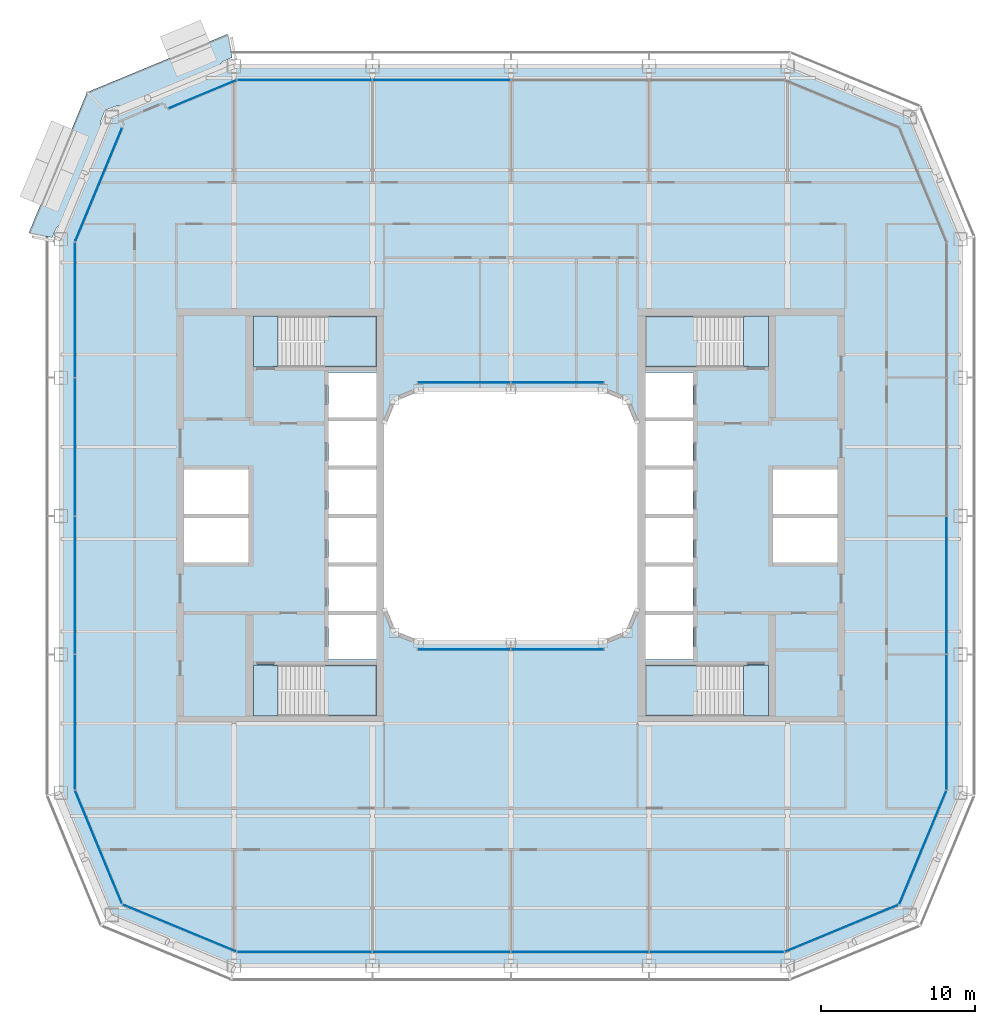
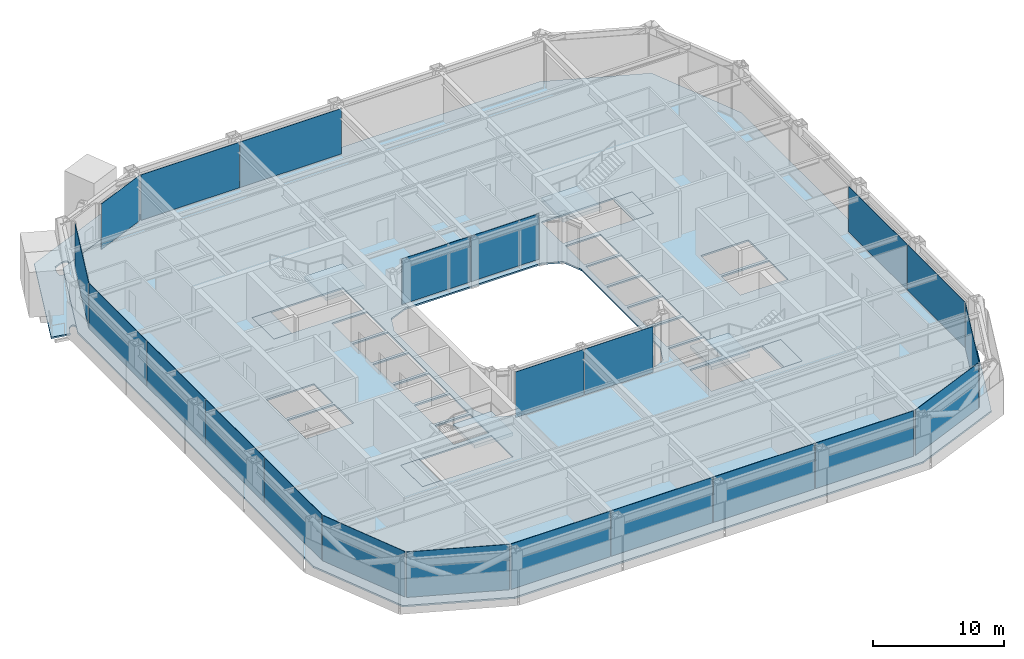
# One storey, part 10 of 23: 22 plates, 10 slabs, 16 elements without a shape of their own.
"""IFC4 building model written with IfcOpenShell, lengths in metres."""

from ifc_helpers import new_model, si_unit, direction, frame, origin, origin_2d, place, context, subcontext, project, spatial, polyline, rectangle, outline, extrude, material, layer, layer_set, type_object, element, aggregate, save


model = new_model("IFC4")

# Units and contexts
model_context = context("Model", 3, precision=1e-05, world=origin(), true_north=direction((0.0, 1.0)))
body_context = subcontext(model_context, "Body", "Model", "MODEL_VIEW")
ifc_project = project(units=[si_unit("LENGTHUNIT", "METRE"), si_unit("AREAUNIT", "SQUARE_METRE"), si_unit("VOLUMEUNIT", "CUBIC_METRE"), si_unit("PLANEANGLEUNIT", "RADIAN"), si_unit("MASSUNIT", "GRAM", prefix="KILO")], contexts=[model_context])

# Site, building, storey
site_placement = place(None, origin())
site = spatial("IfcSite", under=ifc_project, at=site_placement, CompositionType="ELEMENT")
building_placement = place(site_placement, origin())
building = spatial("IfcBuilding", under=site, at=building_placement, Name="Siwar Civic Tower", CompositionType="ELEMENT")
storey_placement = place(building_placement, frame((0.0, 0.0, 172.199951171875)))
storey = spatial("IfcBuildingStorey", under=building, at=storey_placement, Name="L37", CompositionType="ELEMENT", Elevation=172.199951171875)

# Stair, slabs
ifc_material_1 = material(Name="Concrete C40/50", Category="concrete")
stair_type = type_object("IfcStairType", Name="CORE-STAIR", PredefinedType="TWO_STRAIGHT_RUN_STAIR", material=ifc_material_1)
stair_1_placement = place(storey_placement, origin())
stair_1 = element("IfcStair", 1, at=stair_1_placement, inside=storey, type_object=stair_type, Name="Exit stair ST1", PredefinedType="TWO_STRAIGHT_RUN_STAIR")
ifc_material_2 = material(Name="Concrete C40/50", Category="concrete")
ifc_layer_1 = layer(ifc_material_2, 0.300048828125)
ifc_layer_set_1 = layer_set([ifc_layer_1], Name="Concrete C40/50")
slab_type_1 = type_object("IfcSlabType", Name="CORE-STAIR-LANDING", PredefinedType="LANDING", material=ifc_layer_set_1)
slab_1_placement = place(storey_placement, frame((0.0, 0.0, -0.300048828125)))
slab_1 = element("IfcSlab", 2, at=slab_1_placement, type_object=slab_type_1, Name="ST1 landing 1", PredefinedType="LANDING", context=body_context, shape_type="SweptSolid", body=[
    extrude(outline(polyline([(-15.14990234375, 13.0), (-16.75, 13.0), (-16.75, 9.699951171875), (-15.14990234375, 9.699951171875), (-15.14990234375, 13.0)])), origin(), (0.0, 0.0, 1.0), 0.300048828125),
])
slab_2_placement = place(storey_placement, frame((0.0, 0.0, 1.949951171875)))
slab_2 = element("IfcSlab", 3, at=slab_2_placement, type_object=slab_type_1, Name="ST1 landing 2", PredefinedType="LANDING", context=body_context, shape_type="SweptSolid", body=[
    extrude(outline(polyline([(-8.75, 13.0), (-12.139892578125, 13.0), (-12.139892578125, 9.699951171875), (-8.75, 9.699951171875), (-8.75, 13.0)])), origin(), (0.0, 0.0, 1.0), 0.300048828125),
])
aggregate(stair_1, [slab_1, slab_2])

stair_2_placement = place(storey_placement, origin())
stair_2 = element("IfcStair", 4, at=stair_2_placement, inside=storey, type_object=stair_type, Name="Exit stair ST2", PredefinedType="TWO_STRAIGHT_RUN_STAIR")
slab_3_placement = place(storey_placement, frame((0.0, 0.0, -0.300048828125)))
slab_3 = element("IfcSlab", 5, at=slab_3_placement, type_object=slab_type_1, Name="ST2 landing 1", PredefinedType="LANDING", context=body_context, shape_type="SweptSolid", body=[
    extrude(outline(polyline([(-15.14990234375, -9.699951171875), (-16.75, -9.699951171875), (-16.75, -13.0), (-15.14990234375, -13.0), (-15.14990234375, -9.699951171875)])), origin(), (0.0, 0.0, 1.0), 0.300048828125),
])
slab_4_placement = place(storey_placement, frame((0.0, 0.0, 1.949951171875)))
slab_4 = element("IfcSlab", 6, at=slab_4_placement, type_object=slab_type_1, Name="ST2 landing 2", PredefinedType="LANDING", context=body_context, shape_type="SweptSolid", body=[
    extrude(outline(polyline([(-8.75, -9.699951171875), (-12.139892578125, -9.699951171875), (-12.139892578125, -13.0), (-8.75, -13.0), (-8.75, -9.699951171875)])), origin(), (0.0, 0.0, 1.0), 0.300048828125),
])
aggregate(stair_2, [slab_3, slab_4])

stair_3_placement = place(storey_placement, origin())
stair_3 = element("IfcStair", 7, at=stair_3_placement, inside=storey, type_object=stair_type, Name="Exit stair ST3", PredefinedType="TWO_STRAIGHT_RUN_STAIR")
slab_5_placement = place(storey_placement, frame((0.0, 0.0, -0.300048828125)))
slab_5 = element("IfcSlab", 8, at=slab_5_placement, type_object=slab_type_1, Name="ST3 landing 1", PredefinedType="LANDING", context=body_context, shape_type="SweptSolid", body=[
    extrude(outline(polyline([(15.14990234375, 9.699951171875), (16.75, 9.699951171875), (16.75, 13.0), (15.14990234375, 13.0), (15.14990234375, 9.699951171875)])), origin(), (0.0, 0.0, 1.0), 0.300048828125),
])
slab_6_placement = place(storey_placement, frame((0.0, 0.0, 1.949951171875)))
slab_6 = element("IfcSlab", 9, at=slab_6_placement, type_object=slab_type_1, Name="ST3 landing 2", PredefinedType="LANDING", context=body_context, shape_type="SweptSolid", body=[
    extrude(outline(polyline([(8.75, 9.699951171875), (12.139892578125, 9.699951171875), (12.139892578125, 13.0), (8.75, 13.0), (8.75, 9.699951171875)])), origin(), (0.0, 0.0, 1.0), 0.300048828125),
])
aggregate(stair_3, [slab_5, slab_6])

stair_4_placement = place(storey_placement, origin())
stair_4 = element("IfcStair", 10, at=stair_4_placement, inside=storey, type_object=stair_type, Name="Exit stair ST4", PredefinedType="TWO_STRAIGHT_RUN_STAIR")
slab_7_placement = place(storey_placement, frame((0.0, 0.0, -0.300048828125)))
slab_7 = element("IfcSlab", 11, at=slab_7_placement, type_object=slab_type_1, Name="ST4 landing 1", PredefinedType="LANDING", context=body_context, shape_type="SweptSolid", body=[
    extrude(outline(polyline([(15.14990234375, -13.0), (16.75, -13.0), (16.75, -9.699951171875), (15.14990234375, -9.699951171875), (15.14990234375, -13.0)])), origin(), (0.0, 0.0, 1.0), 0.300048828125),
])
slab_8_placement = place(storey_placement, frame((0.0, 0.0, 1.949951171875)))
slab_8 = element("IfcSlab", 12, at=slab_8_placement, type_object=slab_type_1, Name="ST4 landing 2", PredefinedType="LANDING", context=body_context, shape_type="SweptSolid", body=[
    extrude(outline(polyline([(8.75, -13.0), (12.139892578125, -13.0), (12.139892578125, -9.699951171875), (8.75, -9.699951171875), (8.75, -13.0)])), origin(), (0.0, 0.0, 1.0), 0.300048828125),
])
aggregate(stair_4, [slab_7, slab_8])

# Slab
ifc_material_3 = material(Name="Concrete C40/50", Category="concrete")
ifc_layer_2 = layer(ifc_material_3, 0.14990234375)
ifc_layer_set_2 = layer_set([ifc_layer_2], Name="Concrete C40/50")
slab_type_2 = type_object("IfcSlabType", Name="ENV-BALCONY DECK 150", PredefinedType="FLOOR", material=ifc_layer_set_2)
slab_9_placement = place(storey_placement, frame((0.0, 0.0, -0.1494140625)))
element("IfcSlab", 13, at=slab_9_placement, inside=storey, type_object=slab_type_2, Name="Tree balcony deck NW", PredefinedType="FLOOR", context=body_context, shape_type="SweptSolid", body=[
    extrude(outline(polyline([(-26.263427734375, 26.43310546875), (-26.258056640625, 26.435546875), (-26.258056640625, 26.435546875), (-26.2333984375, 26.44580078125), (-26.151611328125, 26.479736328125), (-25.921875, 26.575439453125), (-25.897216796875, 26.585693359375), (-25.88916015625, 26.589111328125), (-25.88720703125, 26.58984375), (-25.81494140625, 26.617431640625), (-25.81005859375, 26.619140625), (-25.74462890625, 26.639404296875), (-25.740234375, 26.640625), (-25.673583984375, 26.65673828125), (-25.669189453125, 26.65771484375), (-25.601806640625, 26.669921875), (-25.59765625, 26.67041015625), (-25.529541015625, 26.6787109375), (-25.523681640625, 26.67919921875), (-25.517578125, 26.67919921875), (-25.406005859375, 26.6748046875), (-25.397216796875, 26.674072265625), (-25.388671875, 26.672119140625), (-25.345703125, 26.66015625), (-25.34130859375, 26.65869140625), (-25.299072265625, 26.64404296875), (-25.29150390625, 26.640869140625), (-25.284423828125, 26.63720703125), (-25.251220703125, 26.61669921875), (-25.247802734375, 26.614501953125), (-25.216064453125, 26.59228515625), (-25.209716796875, 26.58740234375), (-25.203857421875, 26.581787109375), (-25.19873046875, 26.575439453125), (-25.1943359375, 26.56884765625), (-25.190673828125, 26.561767578125), (-25.177001953125, 26.531494140625), (-25.17529296875, 26.52734375), (-25.16357421875, 26.496337890625), (-25.1611328125, 26.488525390625), (-25.159423828125, 26.480712890625), (-25.15869140625, 26.47265625), (-25.15869140625, 26.464599609375), (-25.15966796875, 26.456787109375), (-25.166259765625, 26.418701171875), (-25.167236328125, 26.41455078125), (-25.176025390625, 26.376708984375), (-25.17822265625, 26.368896484375), (-25.181396484375, 26.361328125), (-25.20068359375, 26.321044921875), (-25.202880859375, 26.31689453125), (-25.224609375, 26.27783203125), (-25.2294921875, 26.2705078125), (-25.23486328125, 26.263671875), (-25.25048828125, 26.246826171875), (-18.724609375, 28.949951171875), (-18.77490234375, 28.951904296875), (-18.783447265625, 28.95263671875), (-18.7919921875, 28.95458984375), (-18.835205078125, 28.966552734375), (-18.839599609375, 28.968017578125), (-18.8818359375, 28.982666015625), (-18.889404296875, 28.98583984375), (-18.896484375, 28.98974609375), (-18.9296875, 29.010009765625), (-18.935302734375, 29.013916015625), (-18.940673828125, 29.018310546875), (-18.945556640625, 29.023193359375), (-18.968994140625, 29.048583984375), (-18.971923828125, 29.052001953125), (-18.99365234375, 29.078857421875), (-18.998046875, 29.084716796875), (-19.001708984375, 29.0908203125), (-19.0048828125, 29.097412109375), (-19.00732421875, 29.104248046875), (-19.009033203125, 29.111083984375), (-19.01025390625, 29.118408203125), (-19.013671875, 29.15283203125), (-19.01416015625, 29.1572265625), (-19.015625, 29.19189453125), (-19.015625, 29.19873046875), (-19.01513671875, 29.20556640625), (-19.013671875, 29.21240234375), (-19.0048828125, 29.25), (-19.002685546875, 29.2578125), (-18.99951171875, 29.265380859375), (-18.980224609375, 29.305908203125), (-18.97802734375, 29.309814453125), (-18.956298828125, 29.348876953125), (-18.951416015625, 29.356201171875), (-18.946044921875, 29.363037109375), (-18.870361328125, 29.4453125), (-18.865966796875, 29.44970703125), (-18.861572265625, 29.453369140625), (-18.8076171875, 29.495849609375), (-18.80419921875, 29.498291015625), (-18.748046875, 29.53759765625), (-18.744384765625, 29.5400390625), (-18.68603515625, 29.575927734375), (-18.681884765625, 29.578369140625), (-18.62158203125, 29.610595703125), (-18.616943359375, 29.61279296875), (-18.54638671875, 29.64453125), (-18.54443359375, 29.645263671875), (-18.4951171875, 29.665771484375), (-18.449951171875, 29.6845703125), (-18.449951171875, 29.699951171875), (-18.412841796875, 29.699951171875), (-18.314697265625, 29.740966796875), (-18.232666015625, 29.775146484375), (-18.19970703125, 29.788818359375), (-18.175048828125, 29.798828125), (-18.175048828125, 29.798828125), (-18.16748046875, 29.8017578125), (-18.148193359375, 29.807373046875), (-18.140625, 29.80908203125), (-18.1328125, 29.81005859375), (-18.1123046875, 29.8115234375), (-18.11181640625, 29.8115234375), (-18.417724609375, 31.35009765625), (-27.562255859375, 27.562255859375), (-31.35009765625, 18.417724609375), (-29.80810546875, 18.111083984375), (-29.808349609375, 18.114013671875), (-29.80859375, 18.13037109375), (-29.808349609375, 18.136962890625), (-29.8076171875, 18.1435546875), (-29.80615234375, 18.150146484375), (-29.80224609375, 18.1650390625), (-29.798828125, 18.175048828125), (-29.788818359375, 18.19970703125), (-29.755615234375, 18.279052734375), (-29.740966796875, 18.314697265625), (-29.699951171875, 18.412841796875), (-29.699951171875, 18.449951171875), (-29.6845703125, 18.449951171875), (-29.665771484375, 18.4951171875), (-29.645263671875, 18.54443359375), (-29.64453125, 18.54638671875), (-29.61279296875, 18.616943359375), (-29.610595703125, 18.62158203125), (-29.578369140625, 18.681884765625), (-29.575927734375, 18.68603515625), (-29.5400390625, 18.744384765625), (-29.53759765625, 18.748046875), (-29.498291015625, 18.80419921875), (-29.495849609375, 18.8076171875), (-29.453369140625, 18.861572265625), (-29.44970703125, 18.865966796875), (-29.4453125, 18.870361328125), (-29.363037109375, 18.946044921875), (-29.356201171875, 18.951416015625), (-29.348876953125, 18.956298828125), (-29.309814453125, 18.97802734375), (-29.305908203125, 18.980224609375), (-29.265380859375, 18.99951171875), (-29.2578125, 19.002685546875), (-29.25, 19.0048828125), (-29.21240234375, 19.013671875), (-29.20556640625, 19.01513671875), (-29.19873046875, 19.015625), (-29.19189453125, 19.015625), (-29.1572265625, 19.01416015625), (-29.15283203125, 19.013671875), (-29.118408203125, 19.01025390625), (-29.111083984375, 19.009033203125), (-29.104248046875, 19.00732421875), (-29.097412109375, 19.0048828125), (-29.0908203125, 19.001708984375), (-29.084716796875, 18.998046875), (-29.078857421875, 18.99365234375), (-29.052001953125, 18.971923828125), (-29.048583984375, 18.968994140625), (-29.023193359375, 18.945556640625), (-29.018310546875, 18.940673828125), (-29.013916015625, 18.935302734375), (-29.010009765625, 18.9296875), (-28.98974609375, 18.896484375), (-28.98583984375, 18.889404296875), (-28.982666015625, 18.8818359375), (-28.968017578125, 18.839599609375), (-28.966552734375, 18.835205078125), (-28.95458984375, 18.7919921875), (-28.95263671875, 18.783447265625), (-28.951904296875, 18.77490234375), (-28.949951171875, 18.724609375), (-26.246826171875, 25.25048828125), (-26.263671875, 25.23486328125), (-26.2705078125, 25.2294921875), (-26.27783203125, 25.224609375), (-26.31689453125, 25.202880859375), (-26.321044921875, 25.20068359375), (-26.361328125, 25.181396484375), (-26.368896484375, 25.17822265625), (-26.376708984375, 25.176025390625), (-26.41455078125, 25.167236328125), (-26.418701171875, 25.166259765625), (-26.456787109375, 25.15966796875), (-26.464599609375, 25.15869140625), (-26.47265625, 25.15869140625), (-26.480712890625, 25.159423828125), (-26.488525390625, 25.1611328125), (-26.496337890625, 25.16357421875), (-26.52734375, 25.17529296875), (-26.531494140625, 25.177001953125), (-26.561767578125, 25.190673828125), (-26.56884765625, 25.1943359375), (-26.575439453125, 25.19873046875), (-26.581787109375, 25.203857421875), (-26.58740234375, 25.209716796875), (-26.59228515625, 25.216064453125), (-26.614501953125, 25.247802734375), (-26.61669921875, 25.251220703125), (-26.63720703125, 25.284423828125), (-26.640869140625, 25.29150390625), (-26.64404296875, 25.299072265625), (-26.65869140625, 25.34130859375), (-26.66015625, 25.345703125), (-26.672119140625, 25.388671875), (-26.674072265625, 25.397216796875), (-26.6748046875, 25.406005859375), (-26.67919921875, 25.517578125), (-26.67919921875, 25.523681640625), (-26.6787109375, 25.529541015625), (-26.67041015625, 25.59765625), (-26.669921875, 25.601806640625), (-26.65771484375, 25.669189453125), (-26.65673828125, 25.673583984375), (-26.640625, 25.740234375), (-26.639404296875, 25.74462890625), (-26.619140625, 25.81005859375), (-26.617431640625, 25.81494140625), (-26.58984375, 25.88720703125), (-26.589111328125, 25.88916015625), (-26.585693359375, 25.897216796875), (-26.575439453125, 25.921875), (-26.479736328125, 26.151611328125), (-26.44580078125, 26.2333984375), (-26.435546875, 26.258056640625), (-26.4306640625, 26.267578125), (-26.4228515625, 26.28076171875), (-26.419189453125, 26.286376953125), (-26.4150390625, 26.291748046875), (-26.410400390625, 26.296630859375), (-26.405029296875, 26.3017578125), (-26.405029296875, 26.405029296875), (-26.311279296875, 26.405029296875), (-26.29833984375, 26.414306640625), (-26.293701171875, 26.41748046875), (-26.28857421875, 26.420166015625), (-26.263427734375, 26.43310546875)])), origin(), (0.0, 0.0, 1.0), 0.1494140625),
])

# Curtain wall, plates
ifc_material_4 = material(Name="Aluminium and glass", Category="aluminium")
ifc_layer_3 = layer(ifc_material_4, 0.199951171875)
ifc_layer_set_3 = layer_set([ifc_layer_3], Name="Aluminium and glass")
curtain_wall_type_1 = type_object("IfcCurtainWallType", Name="ENV-CW-B", PredefinedType="NOTDEFINED", material=ifc_layer_set_3)
curtain_wall_1_placement = place(storey_placement, origin())
curtain_wall_1 = element("IfcCurtainWall", 14, at=curtain_wall_1_placement, inside=storey, type_object=curtain_wall_type_1, Name="Curtain wall B S", PredefinedType="NOTDEFINED")
ifc_material_5 = material(Name="Glass clear laminated", Category="glass")
ifc_layer_4 = layer(ifc_material_5, 0.033935546875)
ifc_layer_set_4 = layer_set([ifc_layer_4], Name="Glass clear laminated")
plate_type_1 = type_object("IfcPlateType", Name="ENV-PANEL-B", PredefinedType="CURTAIN_PANEL", material=ifc_layer_set_4)
plate_1_placement = place(storey_placement, frame((-13.410400390625, -28.35009765625, 0.10986328125), z_axis=(0.0, 0.0, 1.0), x_axis=(1.0, 0.0, 0.0)))
plate_1 = element("IfcPlate", 15, at=plate_1_placement, type_object=plate_type_1, Name="Curtain panel B S 1", PredefinedType="CURTAIN_PANEL", context=body_context, shape_type="SweptSolid", body=[
    extrude(rectangle(XDim=8.755859375, YDim=0.033935546875, at=origin_2d()), origin(), (0.0, 0.0, 1.0), 4.239990234375),
])
plate_2_placement = place(storey_placement, frame((-4.5, -28.35009765625, 0.10986328125), z_axis=(0.0, 0.0, 1.0), x_axis=(1.0, 0.0, 0.0)))
plate_2 = element("IfcPlate", 16, at=plate_2_placement, type_object=plate_type_1, Name="Curtain panel B S 2", PredefinedType="CURTAIN_PANEL", context=body_context, shape_type="SweptSolid", body=[
    extrude(rectangle(XDim=8.93505859375, YDim=0.033935546875, at=origin_2d()), origin(), (0.0, 0.0, 1.0), 4.239990234375),
])
plate_3_placement = place(storey_placement, frame((4.5, -28.35009765625, 0.10986328125), z_axis=(0.0, 0.0, 1.0), x_axis=(1.0, 0.0, 0.0)))
plate_3 = element("IfcPlate", 17, at=plate_3_placement, type_object=plate_type_1, Name="Curtain panel B S 3", PredefinedType="CURTAIN_PANEL", context=body_context, shape_type="SweptSolid", body=[
    extrude(rectangle(XDim=8.93505859375, YDim=0.033935546875, at=origin_2d()), origin(), (0.0, 0.0, 1.0), 4.239990234375),
])
plate_4_placement = place(storey_placement, frame((13.369873046875, -28.35009765625, 0.10986328125), z_axis=(0.0, 0.0, 1.0), x_axis=(1.0, 0.0, 0.0)))
plate_4 = element("IfcPlate", 18, at=plate_4_placement, type_object=plate_type_1, Name="Curtain panel B S 4", PredefinedType="CURTAIN_PANEL", context=body_context, shape_type="SweptSolid", body=[
    extrude(rectangle(XDim=8.6748046875, YDim=0.033935546875, at=origin_2d()), origin(), (0.0, 0.0, 1.0), 4.239990234375),
])
aggregate(curtain_wall_1, [plate_1, plate_2, plate_3, plate_4])

curtain_wall_2_placement = place(storey_placement, origin())
curtain_wall_2 = element("IfcCurtainWall", 19, at=curtain_wall_2_placement, inside=storey, type_object=curtain_wall_type_1, Name="Curtain wall B E", PredefinedType="NOTDEFINED")
plate_5_placement = place(storey_placement, frame((28.35009765625, -13.410400390625, 0.10986328125), z_axis=(0.0, 0.0, 1.0), x_axis=(0.0, 1.0, 0.0)))
plate_5 = element("IfcPlate", 20, at=plate_5_placement, type_object=plate_type_1, Name="Curtain panel B E 1", PredefinedType="CURTAIN_PANEL", context=body_context, shape_type="SweptSolid", body=[
    extrude(rectangle(XDim=8.755859375, YDim=0.033935546875, at=origin_2d()), origin(), (0.0, 0.0, 1.0), 4.239990234375),
])
plate_6_placement = place(storey_placement, frame((28.35009765625, -4.5, 0.10986328125), z_axis=(0.0, 0.0, 1.0), x_axis=(0.0, 1.0, 0.0)))
plate_6 = element("IfcPlate", 21, at=plate_6_placement, type_object=plate_type_1, Name="Curtain panel B E 2", PredefinedType="CURTAIN_PANEL", context=body_context, shape_type="SweptSolid", body=[
    extrude(rectangle(XDim=8.93505859375, YDim=0.033935546875, at=origin_2d()), origin(), (0.0, 0.0, 1.0), 4.239990234375),
])
aggregate(curtain_wall_2, [plate_5, plate_6])

curtain_wall_3_placement = place(storey_placement, origin())
curtain_wall_3 = element("IfcCurtainWall", 22, at=curtain_wall_3_placement, inside=storey, type_object=curtain_wall_type_1, Name="Curtain wall B N", PredefinedType="NOTDEFINED")
plate_7_placement = place(storey_placement, frame((-4.5, 28.35009765625, 0.10986328125), z_axis=(0.0, 0.0, 1.0), x_axis=(-1.0, 0.0, 0.0)))
plate_7 = element("IfcPlate", 23, at=plate_7_placement, type_object=plate_type_1, Name="Curtain panel B N 3", PredefinedType="CURTAIN_PANEL", context=body_context, shape_type="SweptSolid", body=[
    extrude(rectangle(XDim=8.93505859375, YDim=0.033935546875, at=origin_2d()), origin(), (0.0, 0.0, 1.0), 4.239990234375),
])
plate_8_placement = place(storey_placement, frame((-13.369873046875, 28.35009765625, 0.10986328125), z_axis=(0.0, 0.0, 1.0), x_axis=(-1.0, 0.0, 0.0)))
plate_8 = element("IfcPlate", 24, at=plate_8_placement, type_object=plate_type_1, Name="Curtain panel B N 4", PredefinedType="CURTAIN_PANEL", context=body_context, shape_type="SweptSolid", body=[
    extrude(rectangle(XDim=8.6748046875, YDim=0.033935546875, at=origin_2d()), origin(), (0.0, 0.0, 1.0), 4.239990234375),
])
aggregate(curtain_wall_3, [plate_7, plate_8])

curtain_wall_4_placement = place(storey_placement, origin())
curtain_wall_4 = element("IfcCurtainWall", 25, at=curtain_wall_4_placement, inside=storey, type_object=curtain_wall_type_1, Name="Curtain wall B W", PredefinedType="NOTDEFINED")
plate_9_placement = place(storey_placement, frame((-28.35009765625, 13.410400390625, 0.10986328125), z_axis=(0.0, 0.0, 1.0), x_axis=(0.0, -1.0, 0.0)))
plate_9 = element("IfcPlate", 26, at=plate_9_placement, type_object=plate_type_1, Name="Curtain panel B W 1", PredefinedType="CURTAIN_PANEL", context=body_context, shape_type="SweptSolid", body=[
    extrude(rectangle(XDim=8.755859375, YDim=0.033935546875, at=origin_2d()), origin(), (0.0, 0.0, 1.0), 4.239990234375),
])
plate_10_placement = place(storey_placement, frame((-28.35009765625, 4.5, 0.10986328125), z_axis=(0.0, 0.0, 1.0), x_axis=(0.0, -1.0, 0.0)))
plate_10 = element("IfcPlate", 27, at=plate_10_placement, type_object=plate_type_1, Name="Curtain panel B W 2", PredefinedType="CURTAIN_PANEL", context=body_context, shape_type="SweptSolid", body=[
    extrude(rectangle(XDim=8.93505859375, YDim=0.033935546875, at=origin_2d()), origin(), (0.0, 0.0, 1.0), 4.239990234375),
])
plate_11_placement = place(storey_placement, frame((-28.35009765625, -4.5, 0.10986328125), z_axis=(0.0, 0.0, 1.0), x_axis=(0.0, -1.0, 0.0)))
plate_11 = element("IfcPlate", 28, at=plate_11_placement, type_object=plate_type_1, Name="Curtain panel B W 3", PredefinedType="CURTAIN_PANEL", context=body_context, shape_type="SweptSolid", body=[
    extrude(rectangle(XDim=8.93505859375, YDim=0.033935546875, at=origin_2d()), origin(), (0.0, 0.0, 1.0), 4.239990234375),
])
plate_12_placement = place(storey_placement, frame((-28.35009765625, -13.369873046875, 0.10986328125), z_axis=(0.0, 0.0, 1.0), x_axis=(0.0, -1.0, 0.0)))
plate_12 = element("IfcPlate", 29, at=plate_12_placement, type_object=plate_type_1, Name="Curtain panel B W 4", PredefinedType="CURTAIN_PANEL", context=body_context, shape_type="SweptSolid", body=[
    extrude(rectangle(XDim=8.6748046875, YDim=0.033935546875, at=origin_2d()), origin(), (0.0, 0.0, 1.0), 4.239990234375),
])
aggregate(curtain_wall_4, [plate_9, plate_10, plate_11, plate_12])

# Curtain wall, plate
ifc_material_6 = material(Name="Aluminium clad insulated panel", Category="aluminium")
ifc_layer_5 = layer(ifc_material_6, 0.199951171875)
ifc_layer_set_5 = layer_set([ifc_layer_5], Name="Aluminium clad insulated panel")
curtain_wall_type_2 = type_object("IfcCurtainWallType", Name="ENV-CW-BX", PredefinedType="NOTDEFINED", material=ifc_layer_set_5)
curtain_wall_5_placement = place(storey_placement, origin())
curtain_wall_5 = element("IfcCurtainWall", 30, at=curtain_wall_5_placement, inside=storey, type_object=curtain_wall_type_2, Name="Curtain wall B SE1", PredefinedType="NOTDEFINED")
ifc_material_7 = material(Name="Aluminium clad insulated panel", Category="aluminium")
ifc_layer_6 = layer(ifc_material_7, 0.033935546875)
ifc_layer_set_6 = layer_set([ifc_layer_6], Name="Aluminium clad insulated panel")
plate_type_2 = type_object("IfcPlateType", Name="ENV-PANEL-BX", PredefinedType="CURTAIN_PANEL", material=ifc_layer_set_6)
plate_13_placement = place(storey_placement, frame((21.506103515625, -26.823486328125, 0.10986328125), z_axis=(0.0, 0.0, 1.0), x_axis=(0.923879532511, 0.382683432365, 0.0)))
plate_13 = element("IfcPlate", 31, at=plate_13_placement, type_object=plate_type_2, Name="Curtain panel B SE1 1", PredefinedType="CURTAIN_PANEL", context=body_context, shape_type="SweptSolid", body=[
    extrude(rectangle(XDim=7.912353515625, YDim=0.033935546875, at=origin_2d()), origin(), (0.0, 0.0, 1.0), 4.239990234375),
])
aggregate(curtain_wall_5, [plate_13])

curtain_wall_6_placement = place(storey_placement, origin())
curtain_wall_6 = element("IfcCurtainWall", 32, at=curtain_wall_6_placement, inside=storey, type_object=curtain_wall_type_2, Name="Curtain wall B SE2", PredefinedType="NOTDEFINED")
plate_14_placement = place(storey_placement, frame((26.79248046875, -21.5810546875, 0.10986328125), z_axis=(0.0, 0.0, 1.0), x_axis=(0.382683432365, 0.923879532511, 0.0)))
plate_14 = element("IfcPlate", 33, at=plate_14_placement, type_object=plate_type_2, Name="Curtain panel B SE2 1", PredefinedType="CURTAIN_PANEL", context=body_context, shape_type="SweptSolid", body=[
    extrude(rectangle(XDim=7.912353515625, YDim=0.033935546875, at=origin_2d()), origin(), (0.0, 0.0, 1.0), 4.239990234375),
])
aggregate(curtain_wall_6, [plate_14])

curtain_wall_7_placement = place(storey_placement, origin())
curtain_wall_7 = element("IfcCurtainWall", 34, at=curtain_wall_7_placement, inside=storey, type_object=curtain_wall_type_2, Name="Curtain wall B NW1", PredefinedType="NOTDEFINED")
plate_15_placement = place(storey_placement, frame((-20.06005859375, 27.422607421875, 0.10986328125), z_axis=(0.0, 0.0, 1.0), x_axis=(-0.923879532511, -0.382683432365, 0.0)))
plate_15 = element("IfcPlate", 35, at=plate_15_placement, type_object=plate_type_2, Name="Curtain panel B NW1 1", PredefinedType="CURTAIN_PANEL", context=body_context, shape_type="SweptSolid", body=[
    extrude(rectangle(XDim=4.7822265625, YDim=0.033935546875, at=origin_2d()), origin(), (0.0, 0.0, 1.0), 4.239990234375),
])
aggregate(curtain_wall_7, [plate_15])

curtain_wall_8_placement = place(storey_placement, origin())
curtain_wall_8 = element("IfcCurtainWall", 36, at=curtain_wall_8_placement, inside=storey, type_object=curtain_wall_type_2, Name="Curtain wall B NW2", PredefinedType="NOTDEFINED")
plate_16_placement = place(storey_placement, frame((-26.79248046875, 21.5810546875, 0.10986328125), z_axis=(0.0, 0.0, 1.0), x_axis=(-0.382683432365, -0.923879532511, 0.0)))
plate_16 = element("IfcPlate", 37, at=plate_16_placement, type_object=plate_type_2, Name="Curtain panel B NW2 1", PredefinedType="CURTAIN_PANEL", context=body_context, shape_type="SweptSolid", body=[
    extrude(rectangle(XDim=7.912353515625, YDim=0.033935546875, at=origin_2d()), origin(), (0.0, 0.0, 1.0), 4.239990234375),
])
aggregate(curtain_wall_8, [plate_16])

curtain_wall_9_placement = place(storey_placement, origin())
curtain_wall_9 = element("IfcCurtainWall", 38, at=curtain_wall_9_placement, inside=storey, type_object=curtain_wall_type_2, Name="Curtain wall B SW1", PredefinedType="NOTDEFINED")
plate_17_placement = place(storey_placement, frame((-26.823486328125, -21.506103515625, 0.10986328125), z_axis=(0.0, 0.0, 1.0), x_axis=(0.382683432365, -0.923879532511, 0.0)))
plate_17 = element("IfcPlate", 39, at=plate_17_placement, type_object=plate_type_2, Name="Curtain panel B SW1 1", PredefinedType="CURTAIN_PANEL", context=body_context, shape_type="SweptSolid", body=[
    extrude(rectangle(XDim=7.912353515625, YDim=0.033935546875, at=origin_2d()), origin(), (0.0, 0.0, 1.0), 4.239990234375),
])
aggregate(curtain_wall_9, [plate_17])

curtain_wall_10_placement = place(storey_placement, origin())
curtain_wall_10 = element("IfcCurtainWall", 40, at=curtain_wall_10_placement, inside=storey, type_object=curtain_wall_type_2, Name="Curtain wall B SW2", PredefinedType="NOTDEFINED")
plate_18_placement = place(storey_placement, frame((-21.5810546875, -26.79248046875, 0.10986328125), z_axis=(0.0, 0.0, 1.0), x_axis=(0.923879532511, -0.382683432365, 0.0)))
plate_18 = element("IfcPlate", 41, at=plate_18_placement, type_object=plate_type_2, Name="Curtain panel B SW2 1", PredefinedType="CURTAIN_PANEL", context=body_context, shape_type="SweptSolid", body=[
    extrude(rectangle(XDim=7.912353515625, YDim=0.033935546875, at=origin_2d()), origin(), (0.0, 0.0, 1.0), 4.239990234375),
])
aggregate(curtain_wall_10, [plate_18])

# Curtain wall, plates
ifc_material_8 = material(Name="Aluminium and glass", Category="aluminium")
ifc_layer_7 = layer(ifc_material_8, 0.179931640625)
ifc_layer_set_7 = layer_set([ifc_layer_7], Name="Aluminium and glass")
curtain_wall_type_3 = type_object("IfcCurtainWallType", Name="ENV-CW-W", PredefinedType="NOTDEFINED", material=ifc_layer_set_7)
curtain_wall_11_placement = place(storey_placement, origin())
curtain_wall_11 = element("IfcCurtainWall", 42, at=curtain_wall_11_placement, inside=storey, type_object=curtain_wall_type_3, Name="Curtain wall W WS", PredefinedType="NOTDEFINED")
ifc_material_9 = material(Name="Glass clear laminated", Category="glass")
ifc_layer_8 = layer(ifc_material_9, 0.031982421875)
ifc_layer_set_8 = layer_set([ifc_layer_8], Name="Glass clear laminated")
plate_type_3 = type_object("IfcPlateType", Name="ENV-PANEL-W", PredefinedType="CURTAIN_PANEL", material=ifc_layer_set_8)
plate_19_placement = place(storey_placement, frame((-3.043212890625, -8.68505859375, 0.10009765625), z_axis=(0.0, 0.0, 1.0), x_axis=(1.0, 0.0, 0.0)))
plate_19 = element("IfcPlate", 43, at=plate_19_placement, type_object=plate_type_3, Name="Curtain panel W WS 1", PredefinedType="CURTAIN_PANEL", context=body_context, shape_type="SweptSolid", body=[
    extrude(rectangle(XDim=6.026611328125, YDim=0.031982421875, at=origin_2d()), origin(), (0.0, 0.0, 1.0), 4.25),
])
plate_20_placement = place(storey_placement, frame((3.043212890625, -8.68505859375, 0.10009765625), z_axis=(0.0, 0.0, 1.0), x_axis=(1.0, 0.0, 0.0)))
plate_20 = element("IfcPlate", 44, at=plate_20_placement, type_object=plate_type_3, Name="Curtain panel W WS 2", PredefinedType="CURTAIN_PANEL", context=body_context, shape_type="SweptSolid", body=[
    extrude(rectangle(XDim=6.026611328125, YDim=0.031982421875, at=origin_2d()), origin(), (0.0, 0.0, 1.0), 4.25),
])
aggregate(curtain_wall_11, [plate_19, plate_20])

curtain_wall_12_placement = place(storey_placement, origin())
curtain_wall_12 = element("IfcCurtainWall", 45, at=curtain_wall_12_placement, inside=storey, type_object=curtain_wall_type_3, Name="Curtain wall W WN", PredefinedType="NOTDEFINED")
plate_21_placement = place(storey_placement, frame((3.043212890625, 8.68505859375, 0.10009765625), z_axis=(0.0, 0.0, 1.0), x_axis=(-1.0, 0.0, 0.0)))
plate_21 = element("IfcPlate", 46, at=plate_21_placement, type_object=plate_type_3, Name="Curtain panel W WN 1", PredefinedType="CURTAIN_PANEL", context=body_context, shape_type="SweptSolid", body=[
    extrude(rectangle(XDim=6.026611328125, YDim=0.031982421875, at=origin_2d()), origin(), (0.0, 0.0, 1.0), 4.25),
])
plate_22_placement = place(storey_placement, frame((-3.043212890625, 8.68505859375, 0.10009765625), z_axis=(0.0, 0.0, 1.0), x_axis=(-1.0, 0.0, 0.0)))
plate_22 = element("IfcPlate", 47, at=plate_22_placement, type_object=plate_type_3, Name="Curtain panel W WN 2", PredefinedType="CURTAIN_PANEL", context=body_context, shape_type="SweptSolid", body=[
    extrude(rectangle(XDim=6.026611328125, YDim=0.031982421875, at=origin_2d()), origin(), (0.0, 0.0, 1.0), 4.25),
])
aggregate(curtain_wall_12, [plate_21, plate_22])

# Slab
ifc_material_10 = material(Name="Concrete C40/50", Category="concrete")
ifc_layer_9 = layer(ifc_material_10, 0.14990234375)
ifc_layer_set_9 = layer_set([ifc_layer_9], Name="Concrete C40/50")
slab_type_3 = type_object("IfcSlabType", Name="STR-FLOOR-DECK-150", PredefinedType="FLOOR", material=ifc_layer_set_9)
slab_10_placement = place(storey_placement, frame((0.0, 0.0, -0.14990234375)))
element("IfcSlab", 48, at=slab_10_placement, inside=storey, type_object=slab_type_3, Name="L37/slab/1", PredefinedType="FLOOR", context=body_context, shape_type="SweptSolid", body=[
    extrude(outline(polyline([(-18.0, -29.25), (18.0, -29.25), (25.954833984375, -25.954833984375), (29.25, -18.0), (29.25, 18.0), (25.954833984375, 25.954833984375), (18.0, 29.25), (-18.0, 29.25), (-25.954833984375, 25.954833984375), (-29.25, 18.0), (-29.25, -18.0), (-25.954833984375, -25.954833984375), (-18.0, -29.25)]), holes=[polyline([(21.25, 3.02490234375), (21.25, 0.125), (17.050048828125, 0.125), (17.050048828125, 3.02490234375), (21.25, 3.02490234375)]), polyline([(17.050048828125, -0.125), (21.25, -0.125), (21.25, -3.02490234375), (17.050048828125, -3.02490234375), (17.050048828125, -0.125)]), polyline([(16.75, 13.0), (16.75, 9.699951171875), (8.75, 9.699951171875), (8.75, 13.0), (16.75, 13.0)]), polyline([(8.75, -9.699951171875), (16.75, -9.699951171875), (16.75, -13.0), (8.75, -13.0), (8.75, -9.699951171875)]), polyline([(11.85009765625, 9.324951171875), (11.85009765625, 6.425048828125), (8.75, 6.425048828125), (8.75, 9.324951171875), (11.85009765625, 9.324951171875)]), polyline([(11.85009765625, 3.02490234375), (11.85009765625, 0.125), (8.75, 0.125), (8.75, 3.02490234375), (11.85009765625, 3.02490234375)]), polyline([(11.85009765625, -0.125), (11.85009765625, -3.02490234375), (8.75, -3.02490234375), (8.75, -0.125), (11.85009765625, -0.125)]), polyline([(11.85009765625, -3.27490234375), (11.85009765625, -6.175048828125), (8.75, -6.175048828125), (8.75, -3.27490234375), (11.85009765625, -3.27490234375)]), polyline([(8.75, 6.175048828125), (11.85009765625, 6.175048828125), (11.85009765625, 3.27490234375), (8.75, 3.27490234375), (8.75, 6.175048828125)]), polyline([(8.75, -6.425048828125), (11.85009765625, -6.425048828125), (11.85009765625, -9.324951171875), (8.75, -9.324951171875), (8.75, -6.425048828125)]), polyline([(-6.0, 8.25), (6.0, 8.25), (7.591064453125, 7.591064453125), (8.25, 6.0), (8.25, -6.0), (7.591064453125, -7.591064453125), (6.0, -8.25), (-6.0, -8.25), (-7.591064453125, -7.591064453125), (-8.25, -6.0), (-8.25, 6.0), (-7.591064453125, 7.591064453125), (-6.0, 8.25)]), polyline([(-8.75, 9.699951171875), (-16.75, 9.699951171875), (-16.75, 13.0), (-8.75, 13.0), (-8.75, 9.699951171875)]), polyline([(-8.75, 0.125), (-11.85009765625, 0.125), (-11.85009765625, 3.02490234375), (-8.75, 3.02490234375), (-8.75, 0.125)]), polyline([(-8.75, -6.175048828125), (-11.85009765625, -6.175048828125), (-11.85009765625, -3.27490234375), (-8.75, -3.27490234375), (-8.75, -6.175048828125)]), polyline([(-8.75, -9.324951171875), (-11.85009765625, -9.324951171875), (-11.85009765625, -6.425048828125), (-8.75, -6.425048828125), (-8.75, -9.324951171875)]), polyline([(-8.75, -13.0), (-16.75, -13.0), (-16.75, -9.699951171875), (-8.75, -9.699951171875), (-8.75, -13.0)]), polyline([(-11.85009765625, 6.425048828125), (-11.85009765625, 9.324951171875), (-8.75, 9.324951171875), (-8.75, 6.425048828125), (-11.85009765625, 6.425048828125)]), polyline([(-11.85009765625, 3.27490234375), (-11.85009765625, 6.175048828125), (-8.75, 6.175048828125), (-8.75, 3.27490234375), (-11.85009765625, 3.27490234375)]), polyline([(-11.85009765625, -3.02490234375), (-11.85009765625, -0.125), (-8.75, -0.125), (-8.75, -3.02490234375), (-11.85009765625, -3.02490234375)]), polyline([(-21.25, -3.02490234375), (-21.25, -0.125), (-17.050048828125, -0.125), (-17.050048828125, -3.02490234375), (-21.25, -3.02490234375)]), polyline([(-17.050048828125, 0.125), (-21.25, 0.125), (-21.25, 3.02490234375), (-17.050048828125, 3.02490234375), (-17.050048828125, 0.125)])]), origin(), (0.0, 0.0, 1.0), 0.14990234375),
])

save(model, "model.ifc")
